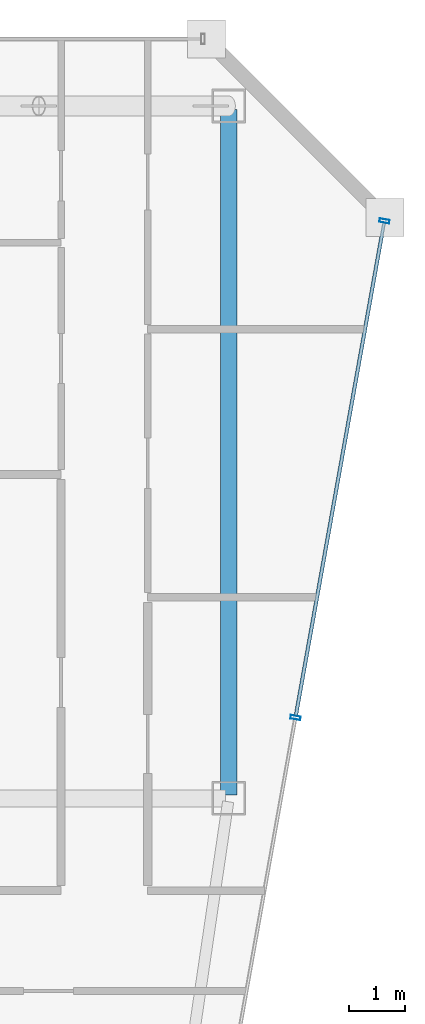
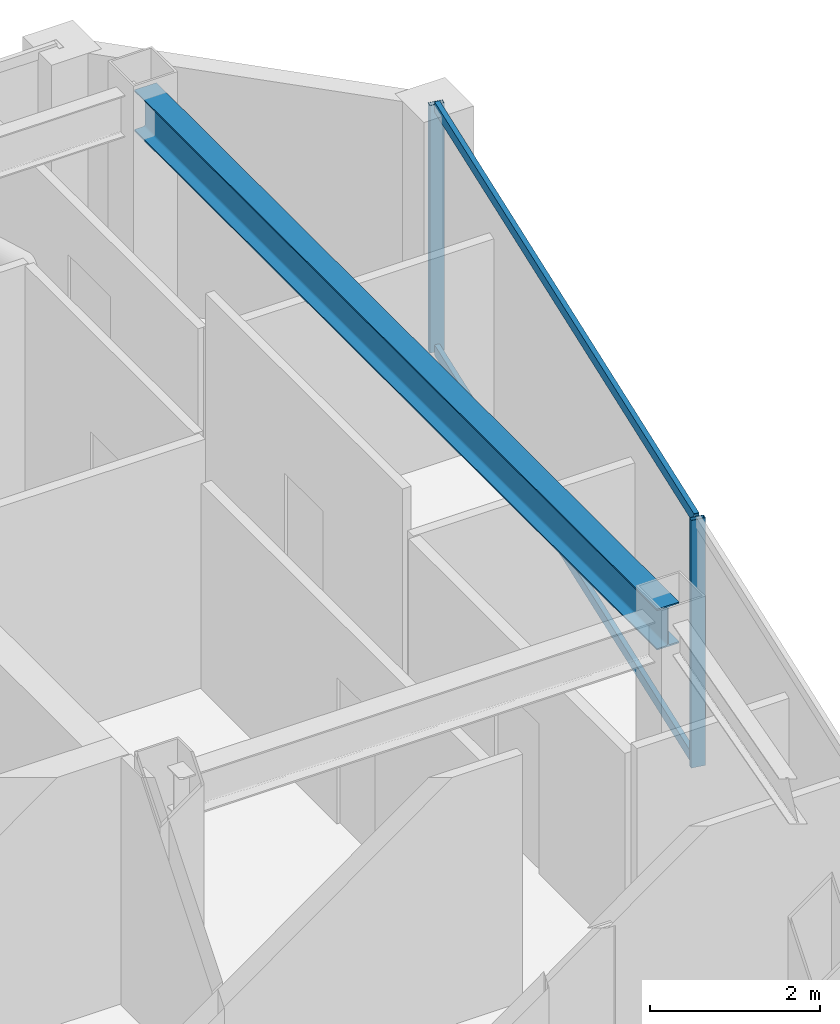
# One storey, part 19 of 32: 4 members, 1 beam, 1 element without a shape of its own.
"""IFC4 building model written with IfcOpenShell, lengths in metres."""

from ifc_helpers import new_model, si_unit, direction, frame, origin, origin_2d, place, context, subcontext, project, spatial, hollow_rectangle, i_section, extrude, material, material_profile, profile_set, type_object, element, aggregate, save


model = new_model("IFC4")

# Units and contexts
model_context = context("Model", 3, precision=1e-05, world=origin(), true_north=direction((0.0, 1.0)))
body_context = subcontext(model_context, "Body", "Model", "MODEL_VIEW")
ifc_project = project(units=[si_unit("LENGTHUNIT", "METRE"), si_unit("AREAUNIT", "SQUARE_METRE"), si_unit("VOLUMEUNIT", "CUBIC_METRE"), si_unit("PLANEANGLEUNIT", "RADIAN"), si_unit("MASSUNIT", "GRAM", prefix="KILO")], contexts=[model_context])

# Site, building, storey
site_placement = place(None, origin())
site = spatial("IfcSite", under=ifc_project, at=site_placement, CompositionType="ELEMENT")
building_placement = place(site_placement, origin())
building = spatial("IfcBuilding", under=site, at=building_placement, Name="Saevonmaru Cultural Tower", CompositionType="ELEMENT")
storey_placement = place(building_placement, frame((0.0, 0.0, 264.800048828125)))
storey = spatial("IfcBuildingStorey", under=building, at=storey_placement, Name="L62", CompositionType="ELEMENT", Elevation=264.800048828125)

# Beam
ifc_material_1 = material(Name="Steel SM355", Category="steel")
ifc_material_profile_1 = material_profile(ifc_material_1, i_section(OverallWidth=0.300048828125, OverallDepth=0.587890625, WebThickness=0.011962890625, FlangeThickness=0.02001953125, FilletRadius=0.02392578125, at=origin_2d()), Name="H-588x300x12x20")
ifc_profile_set_1 = profile_set([ifc_material_profile_1], Name="Steel SM355")
beam_type = type_object("IfcBeamType", Name="BM-G-H588", PredefinedType="BEAM", material=ifc_profile_set_1)
beam_placement = place(storey_placement, frame((53.199951171875, 54.739990234375, 3.255859375), z_axis=(0.0, -1.0, 0.0), x_axis=(1.0, 0.0, 0.0)))
element("IfcBeam", 1, at=beam_placement, inside=storey, type_object=beam_type, Name="L62 Spine Transverse Girder E", PredefinedType="BEAM", context=body_context, shape_type="SweptSolid", body=[
    extrude(i_section(OverallWidth=0.300048828125, OverallDepth=0.587890625, WebThickness=0.011962890625, FlangeThickness=0.02001953125, FilletRadius=0.02392578125, at=origin_2d()), origin(), (0.0, 0.0, 1.0), 12.280029296875),
])

# Curtain wall, members
ifc_material_2 = material(Name="Satin Bronze Anodised Aluminium", Category="aluminium")
curtain_wall_type = type_object("IfcCurtainWallType", Name="CW-TYP-B", PredefinedType="NOTDEFINED", material=ifc_material_2)
curtain_wall_placement = place(storey_placement, origin())
curtain_wall = element("IfcCurtainWall", 2, at=curtain_wall_placement, inside=storey, type_object=curtain_wall_type, Name="L62 Unitised Curtain Wall E8", PredefinedType="NOTDEFINED")
ifc_material_profile_2 = material_profile(ifc_material_2, hollow_rectangle(XDim=0.06494140625, YDim=0.179931640625, WallThickness=0.00390625, at=origin_2d()), Name="ALU-MULL-180x65x4")
ifc_profile_set_2 = profile_set([ifc_material_profile_2], Name="Satin Bronze Anodised Aluminium")
member_type_1 = type_object("IfcMemberType", Name="ML-CW-180x65", PredefinedType="MULLION", material=ifc_profile_set_2)
member_1_placement = place(storey_placement, frame((54.39794921875, 43.846923828125, 0.0), z_axis=(0.0, 0.0, 1.0), x_axis=(0.176140740755, 0.984364993001, 0.0)))
member_1 = element("IfcMember", 3, at=member_1_placement, type_object=member_type_1, Name="CW-TW-L62-E8 mullion 3", PredefinedType="MULLION", context=body_context, shape_type="SweptSolid", body=[
    extrude(hollow_rectangle(XDim=0.06494140625, YDim=0.179931640625, WallThickness=0.00390625, at=origin_2d()), origin(), (0.0, 0.0, 1.0), 3.550048828125),
])
member_2_placement = place(storey_placement, frame((55.989501953125, 52.740966796875, 0.0), z_axis=(0.0, 0.0, 1.0), x_axis=(0.176140740755, 0.984364993001, 0.0)))
member_2 = element("IfcMember", 4, at=member_2_placement, type_object=member_type_1, Name="CW-TW-L62-E8 mullion 4", PredefinedType="MULLION", context=body_context, shape_type="SweptSolid", body=[
    extrude(hollow_rectangle(XDim=0.06494140625, YDim=0.179931640625, WallThickness=0.00390625, at=origin_2d()), origin(), (0.0, 0.0, 1.0), 3.550048828125),
])
ifc_material_profile_3 = material_profile(ifc_material_2, hollow_rectangle(XDim=0.06494140625, YDim=0.14990234375, WallThickness=0.00390625, at=origin_2d()), Name="ALU-TRAN-150x65x4")
ifc_profile_set_3 = profile_set([ifc_material_profile_3], Name="Satin Bronze Anodised Aluminium")
member_type_2 = type_object("IfcMemberType", Name="TR-CW-150x65", PredefinedType="USERDEFINED", material=ifc_profile_set_3)
member_3_placement = place(storey_placement, frame((54.403564453125, 43.87890625, 0.032470703125), z_axis=(0.176144810911, 0.984364264685, 0.0), x_axis=(-0.984364264685, 0.176144810911, 0.0)))
member_3 = element("IfcMember", 5, at=member_3_placement, type_object=member_type_2, Name="CW-TW-L62-E8 transom 3.1", ObjectType="TRANSOM", PredefinedType="USERDEFINED", context=body_context, shape_type="SweptSolid", body=[
    extrude(hollow_rectangle(XDim=0.06494140625, YDim=0.14990234375, WallThickness=0.00390625, at=origin_2d()), origin(), (0.0, 0.0, 1.0), 8.97021484375),
])
member_4_placement = place(storey_placement, frame((54.403564453125, 43.87890625, 3.517333984375), z_axis=(0.176144810911, 0.984364264685, 0.0), x_axis=(-0.984364264685, 0.176144810911, 0.0)))
member_4 = element("IfcMember", 6, at=member_4_placement, type_object=member_type_2, Name="CW-TW-L62-E8 transom 3.2", ObjectType="TRANSOM", PredefinedType="USERDEFINED", context=body_context, shape_type="SweptSolid", body=[
    extrude(hollow_rectangle(XDim=0.06494140625, YDim=0.14990234375, WallThickness=0.00390625, at=origin_2d()), origin(), (0.0, 0.0, 1.0), 8.97021484375),
])
aggregate(curtain_wall, [member_1, member_2, member_3, member_4])

save(model, "model.ifc")
